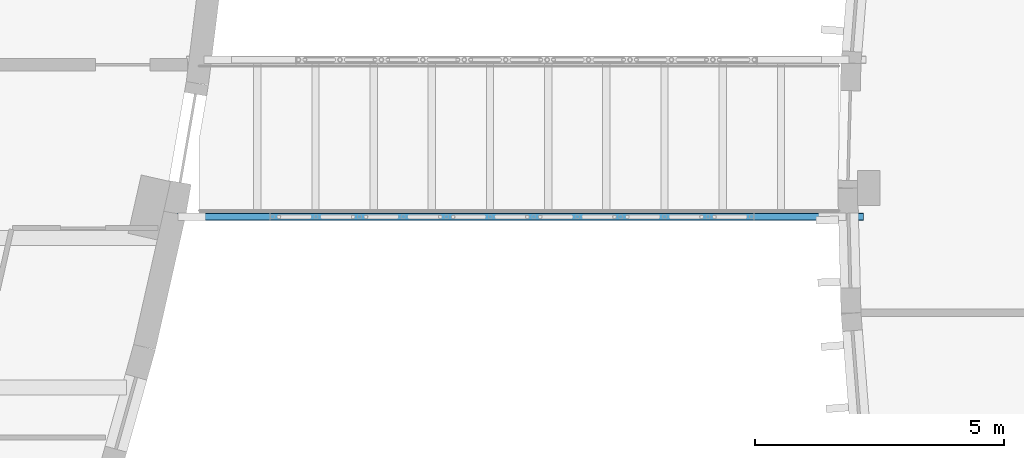
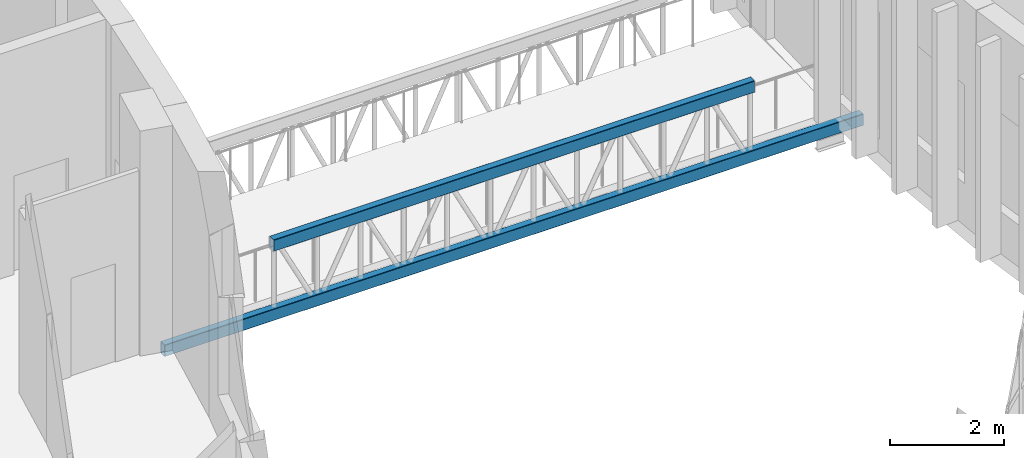
# One storey, part 27 of 93: 2 members.
"""IFC4 building model written with IfcOpenShell, lengths in metres."""

from ifc_helpers import new_model, si_unit, direction, frame, origin, origin_2d, place, context, subcontext, project, spatial, hollow_rectangle, extrude, material, material_profile, profile_set, type_object, element, save


model = new_model("IFC4")

# Units and contexts
model_context = context("Model", 3, precision=1e-05, world=origin(), true_north=direction((0.0, 1.0)))
body_context = subcontext(model_context, "Body", "Model", "MODEL_VIEW")
ifc_project = project(units=[si_unit("LENGTHUNIT", "METRE"), si_unit("AREAUNIT", "SQUARE_METRE"), si_unit("VOLUMEUNIT", "CUBIC_METRE"), si_unit("PLANEANGLEUNIT", "RADIAN"), si_unit("MASSUNIT", "GRAM", prefix="KILO")], contexts=[model_context])

# Site, building, storey
site_placement = place(None, origin())
site = spatial("IfcSite", under=ifc_project, at=site_placement, CompositionType="ELEMENT")
building_placement = place(site_placement, origin())
building = spatial("IfcBuilding", under=site, at=building_placement, Name="Tide Square Theatres", CompositionType="ELEMENT")
storey_placement = place(building_placement, frame((0.0, 0.0, 5.39990234375)))
storey = spatial("IfcBuildingStorey", under=building, at=storey_placement, Name="L01", CompositionType="ELEMENT", Elevation=5.39990234375)

# Members
ifc_material = material(Name="Steel ASTM A500 Grade C", Category="steel")
ifc_material_profile = material_profile(ifc_material, hollow_rectangle(XDim=0.14990234375, YDim=0.25, WallThickness=0.008056640625, InnerFilletRadius=0.008056640625, OuterFilletRadius=0.01611328125, at=origin_2d()))
ifc_profile_set = profile_set([ifc_material_profile], Name="Steel ASTM A500 Grade C")
member_type = type_object("IfcMemberType", Name="Steel chord RHS 250 x 150 x 8.0", PredefinedType="CHORD", material=ifc_profile_set)
member_1_placement = place(storey_placement, frame((117.887939453125, 44.425048828125, -0.27490234375), z_axis=(-1.0, 0.0, 0.0), x_axis=(0.0, -1.0, 0.0)))
element("IfcMember", 1, at=member_1_placement, inside=storey, type_object=member_type, Name="Bridge BR-E2 bottom chord", PredefinedType="CHORD", context=body_context, shape_type="SweptSolid", body=[
    extrude(hollow_rectangle(XDim=0.14990234375, YDim=0.25, WallThickness=0.008056640625, InnerFilletRadius=0.008056640625, OuterFilletRadius=0.01611328125, at=origin_2d()), origin(), (0.0, 0.0, 1.0), 14.09912109375),
])
member_2_placement = place(storey_placement, frame((115.68798828125, 44.425048828125, 1.2001953125), z_axis=(-1.0, 0.0, 0.0), x_axis=(0.0, -1.0, 0.0)))
element("IfcMember", 2, at=member_2_placement, inside=storey, type_object=member_type, Name="Bridge BR-E2 top chord", PredefinedType="CHORD", context=body_context, shape_type="SweptSolid", body=[
    extrude(hollow_rectangle(XDim=0.14990234375, YDim=0.25, WallThickness=0.008056640625, InnerFilletRadius=0.008056640625, OuterFilletRadius=0.01611328125, at=origin_2d()), origin(), (0.0, 0.0, 1.0), 9.69921875),
])

save(model, "model.ifc")
